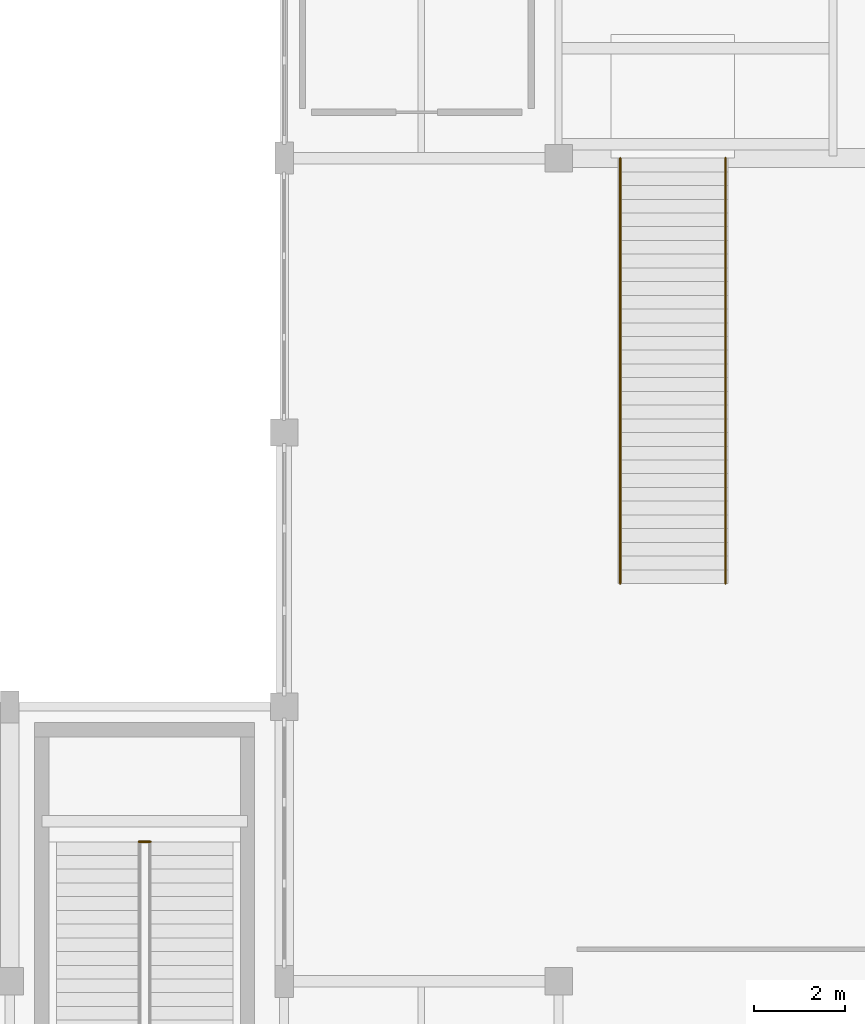
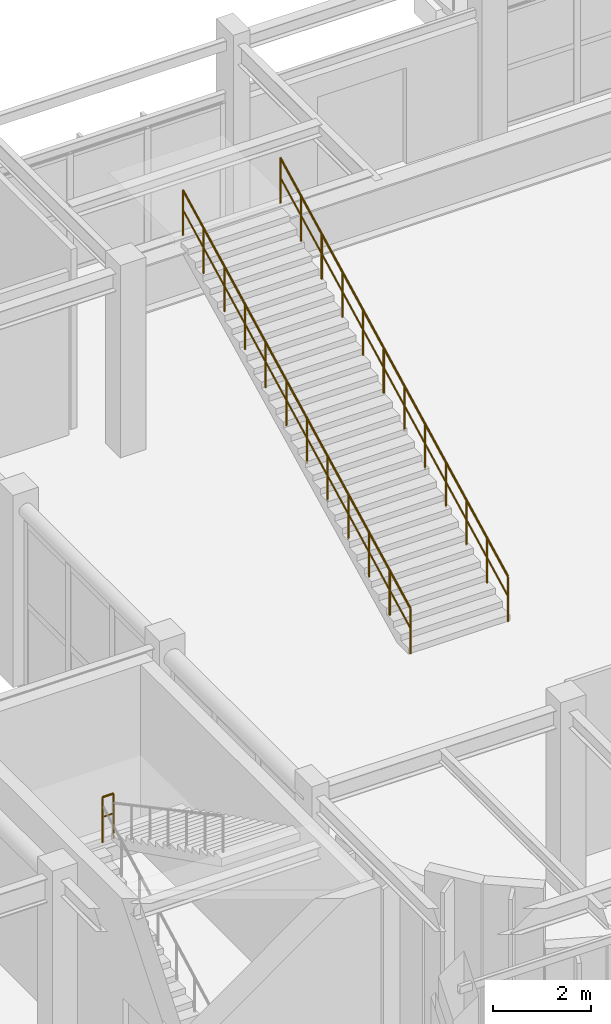
# One storey, part 63 of 76: 3 railings.
"""IFC4 building model written with IfcOpenShell, lengths in metres."""

from ifc_helpers import new_model, si_unit, direction, frame, origin, origin_2d, place, context, subcontext, project, spatial, circle, extrude, material, type_object, element, save


model = new_model("IFC4")

# Units and contexts
model_context = context("Model", 3, precision=1e-05, world=origin(), true_north=direction((0.0, 1.0)))
body_context = subcontext(model_context, "Body", "Model", "MODEL_VIEW")
ifc_project = project(units=[si_unit("LENGTHUNIT", "METRE"), si_unit("AREAUNIT", "SQUARE_METRE"), si_unit("VOLUMEUNIT", "CUBIC_METRE"), si_unit("PLANEANGLEUNIT", "RADIAN"), si_unit("MASSUNIT", "GRAM", prefix="KILO")], contexts=[model_context])

# Site, building, storey
site_placement = place(None, origin())
site = spatial("IfcSite", under=ifc_project, at=site_placement, CompositionType="ELEMENT")
building_placement = place(site_placement, origin())
building = spatial("IfcBuilding", under=site, at=building_placement, Name="Varnakota Square Police Headquarters", CompositionType="ELEMENT")
storey_placement = place(building_placement, origin())
storey = spatial("IfcBuildingStorey", under=building, at=storey_placement, Name="L00", CompositionType="ELEMENT", Elevation=0.0)

# Railings
ifc_material_1 = material(Name="Brushed Stainless Steel Tubular Handrail", Category="steel")
railing_type_1 = type_object("IfcRailingType", Name="RL-HND-920", PredefinedType="HANDRAIL", material=ifc_material_1)
railing_1_placement = place(storey_placement, frame((61.35009765625, 23.698486328125, 0.0)))
element("IfcRailing", 1, at=railing_1_placement, inside=storey, type_object=railing_type_1, Name="Feature stair guard-handrail ST-CIV1-L", PredefinedType="HANDRAIL", context=body_context, shape_type="SweptSolid", body=[
    extrude(circle(Radius=0.02392578125, at=origin_2d()), frame((0.0, 0.0, 1.1259765625), z_axis=(0.0, 0.888649173997, 0.45858766398), x_axis=(-1.0, 0.0, 0.0)), (0.0, 0.0, 1.0), 10.467041015625),
    extrude(circle(Radius=0.01806640625, at=origin_2d()), frame((0.0, 0.0, 0.63232421875), z_axis=(0.0, 0.888649173997, 0.45858766398), x_axis=(-1.0, 0.0, 0.0)), (0.0, 0.0, 1.0), 10.467041015625),
    extrude(circle(Radius=0.02099609375, at=origin_2d()), origin(), (0.0, 0.0, 1.0), 1.101806640625),
    extrude(circle(Radius=0.02099609375, at=origin_2d()), frame((0.0, 0.845703125, 0.436279296875)), (0.0, 0.0, 1.0), 1.101806640625),
    extrude(circle(Radius=0.02099609375, at=origin_2d()), frame((0.0, 1.691162109375, 0.872802734375)), (0.0, 0.0, 1.0), 1.101806640625),
    extrude(circle(Radius=0.02099609375, at=origin_2d()), frame((0.0, 2.536865234375, 1.30908203125)), (0.0, 0.0, 1.0), 1.101806640625),
    extrude(circle(Radius=0.02099609375, at=origin_2d()), frame((0.0, 3.38232421875, 1.745361328125)), (0.0, 0.0, 1.0), 1.101806640625),
    extrude(circle(Radius=0.02099609375, at=origin_2d()), frame((0.0, 4.22802734375, 2.181884765625)), (0.0, 0.0, 1.0), 1.101806640625),
    extrude(circle(Radius=0.02099609375, at=origin_2d()), frame((0.0, 5.073486328125, 2.6181640625)), (0.0, 0.0, 1.0), 1.101806640625),
    extrude(circle(Radius=0.02099609375, at=origin_2d()), frame((0.0, 5.919189453125, 3.0546875)), (0.0, 0.0, 1.0), 1.101806640625),
    extrude(circle(Radius=0.02099609375, at=origin_2d()), frame((0.0, 6.7646484375, 3.490966796875)), (0.0, 0.0, 1.0), 1.101806640625),
    extrude(circle(Radius=0.02099609375, at=origin_2d()), frame((0.0, 7.6103515625, 3.92724609375)), (0.0, 0.0, 1.0), 1.101806640625),
    extrude(circle(Radius=0.02099609375, at=origin_2d()), frame((0.0, 8.455810546875, 4.36376953125)), (0.0, 0.0, 1.0), 1.101806640625),
    extrude(circle(Radius=0.02099609375, at=origin_2d()), frame((0.0, 9.301513671875, 4.800048828125)), (0.0, 0.0, 1.0), 1.101806640625),
])
railing_2_placement = place(storey_placement, frame((63.64990234375, 23.698486328125, 0.0)))
element("IfcRailing", 2, at=railing_2_placement, inside=storey, type_object=railing_type_1, Name="Feature stair guard-handrail ST-CIV1-R", PredefinedType="HANDRAIL", context=body_context, shape_type="SweptSolid", body=[
    extrude(circle(Radius=0.02392578125, at=origin_2d()), frame((0.0, 0.0, 1.1259765625), z_axis=(0.0, 0.888649173997, 0.45858766398), x_axis=(-1.0, 0.0, 0.0)), (0.0, 0.0, 1.0), 10.467041015625),
    extrude(circle(Radius=0.01806640625, at=origin_2d()), frame((0.0, 0.0, 0.63232421875), z_axis=(0.0, 0.888649173997, 0.45858766398), x_axis=(-1.0, 0.0, 0.0)), (0.0, 0.0, 1.0), 10.467041015625),
    extrude(circle(Radius=0.02099609375, at=origin_2d()), origin(), (0.0, 0.0, 1.0), 1.101806640625),
    extrude(circle(Radius=0.02099609375, at=origin_2d()), frame((0.0, 0.845703125, 0.436279296875)), (0.0, 0.0, 1.0), 1.101806640625),
    extrude(circle(Radius=0.02099609375, at=origin_2d()), frame((0.0, 1.691162109375, 0.872802734375)), (0.0, 0.0, 1.0), 1.101806640625),
    extrude(circle(Radius=0.02099609375, at=origin_2d()), frame((0.0, 2.536865234375, 1.30908203125)), (0.0, 0.0, 1.0), 1.101806640625),
    extrude(circle(Radius=0.02099609375, at=origin_2d()), frame((0.0, 3.38232421875, 1.745361328125)), (0.0, 0.0, 1.0), 1.101806640625),
    extrude(circle(Radius=0.02099609375, at=origin_2d()), frame((0.0, 4.22802734375, 2.181884765625)), (0.0, 0.0, 1.0), 1.101806640625),
    extrude(circle(Radius=0.02099609375, at=origin_2d()), frame((0.0, 5.073486328125, 2.6181640625)), (0.0, 0.0, 1.0), 1.101806640625),
    extrude(circle(Radius=0.02099609375, at=origin_2d()), frame((0.0, 5.919189453125, 3.0546875)), (0.0, 0.0, 1.0), 1.101806640625),
    extrude(circle(Radius=0.02099609375, at=origin_2d()), frame((0.0, 6.7646484375, 3.490966796875)), (0.0, 0.0, 1.0), 1.101806640625),
    extrude(circle(Radius=0.02099609375, at=origin_2d()), frame((0.0, 7.6103515625, 3.92724609375)), (0.0, 0.0, 1.0), 1.101806640625),
    extrude(circle(Radius=0.02099609375, at=origin_2d()), frame((0.0, 8.455810546875, 4.36376953125)), (0.0, 0.0, 1.0), 1.101806640625),
    extrude(circle(Radius=0.02099609375, at=origin_2d()), frame((0.0, 9.301513671875, 4.800048828125)), (0.0, 0.0, 1.0), 1.101806640625),
])
ifc_material_2 = material(Name="Laminated Glass and Stainless Steel Balustrade", Category="steel")
railing_type_2 = type_object("IfcRailingType", Name="RL-INT-1150", PredefinedType="BALUSTRADE", material=ifc_material_2)
railing_3_placement = place(storey_placement, frame((50.820068359375, 18.05078125, 2.39990234375)))
element("IfcRailing", 3, at=railing_3_placement, inside=storey, type_object=railing_type_2, Name="Half-landing well guard C10 L00", PredefinedType="BALUSTRADE", context=body_context, shape_type="SweptSolid", body=[
    extrude(circle(Radius=0.02392578125, at=origin_2d()), frame((0.0, 0.0, 1.1259765625), z_axis=(1.0, 0.0, 0.0), x_axis=(0.0, 1.0, 0.0)), (0.0, 0.0, 1.0), 0.260009765625),
    extrude(circle(Radius=0.01806640625, at=origin_2d()), frame((0.0, 0.0, 0.63232421875), z_axis=(1.0, 0.0, 0.0), x_axis=(0.0, 1.0, 0.0)), (0.0, 0.0, 1.0), 0.260009765625),
    extrude(circle(Radius=0.02099609375, at=origin_2d()), origin(), (0.0, 0.0, 1.0), 1.101806640625),
    extrude(circle(Radius=0.02099609375, at=origin_2d()), frame((0.260009765625, 0.0, 0.0)), (0.0, 0.0, 1.0), 1.101806640625),
])

save(model, "model.ifc")
